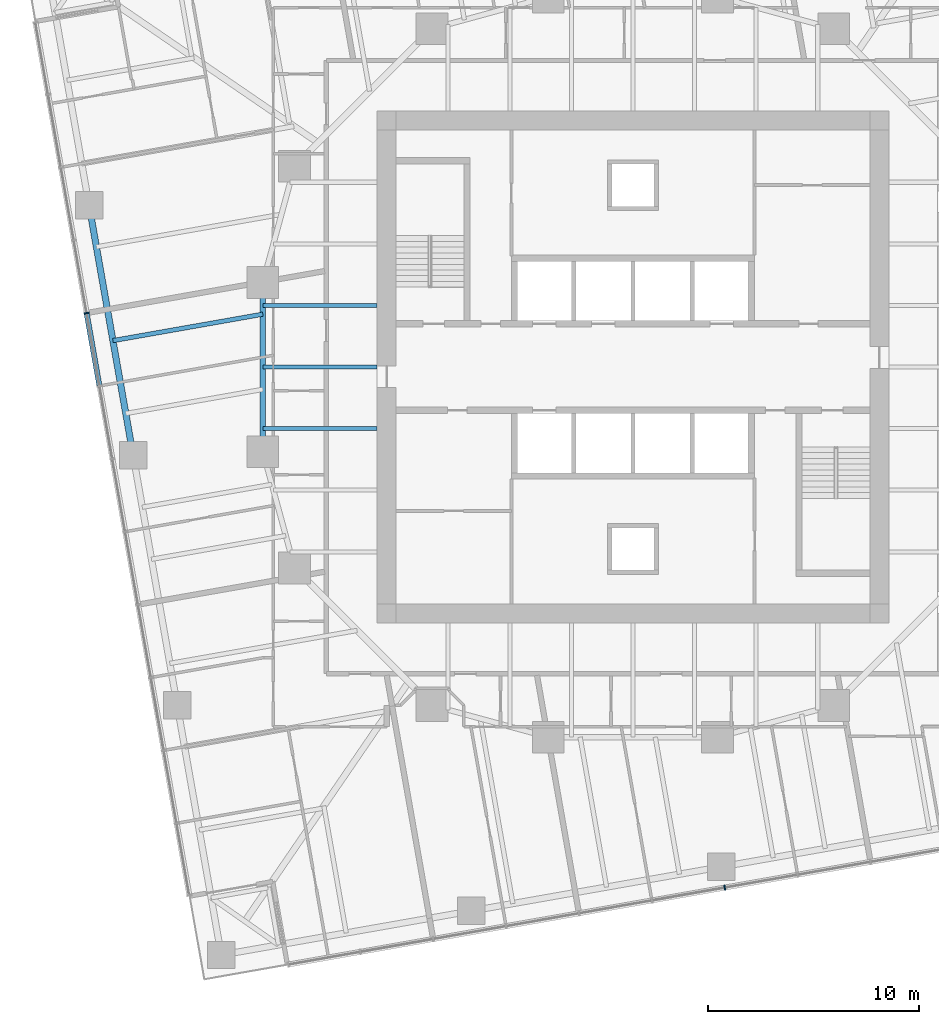
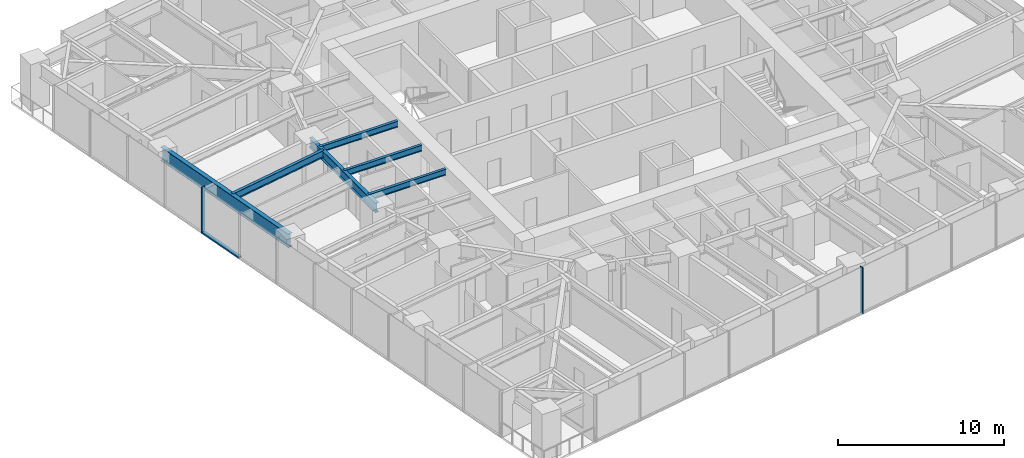
# One storey, part 3 of 14: 6 beams, 3 members, 2 elements without a shape of their own.
"""IFC4 building model written with IfcOpenShell, lengths in metres."""

import ifcopenshell
import ifcopenshell.guid

model = None  # the IFC model being written
_history = None  # IfcOwnerHistory: only IFC2X3 demands one
_inside = {}  # id of a spatial element -> (the spatial element, [elements in it])
_under = {}  # id of a project, library or spatial element -> (it, [spatial elements below it])
_declared = {}  # id of a project -> (the project, [libraries it declares])
_typed = {}  # id of a type object -> (the type object, [elements of that type])
_made_of = {}  # id of a material, layer set ... -> (it, [elements and type objects made of it])


def new_model(schema):
    """Start an empty IFC model of exactly this schema.

    Asked for "IFC4X3", IfcOpenShell would pick the latest addendum, in which some entities
    have other attributes; the version numbers below select the first issue.
    IFC2X3 requires an IfcOwnerHistory on every rooted entity: one is made here for all.
    """
    global model, _history
    if schema == "IFC4X3":
        model = ifcopenshell.file(schema_version=(4, 3, 0, 0))
    else:
        model = ifcopenshell.file(schema=schema)
    _inside.clear()
    _under.clear()
    _declared.clear()
    _typed.clear()
    _made_of.clear()
    _history = None
    if model.schema == "IFC2X3":
        org = make("IfcOrganization", Name="unknown")
        user = make(
            "IfcPersonAndOrganization",
            ThePerson=make("IfcPerson", FamilyName="unknown"),
            TheOrganization=org,
        )
        app = make(
            "IfcApplication",
            ApplicationDeveloper=org,
            Version="unknown",
            ApplicationFullName="unknown",
            ApplicationIdentifier="unknown",
        )
        _history = make(
            "IfcOwnerHistory",
            OwningUser=user,
            OwningApplication=app,
            ChangeAction="ADDED",
            CreationDate=0,
        )
    return model


def make(cls, **values):
    """One entity of the class cls with the attributes given. An attribute that is None is left unset."""
    return model.create_entity(
        cls, **{name: value for name, value in values.items() if value is not None}
    )


def rooted(cls, **values):
    """An entity with a GlobalId (a new one), such as an element, a storey or a relation."""
    return make(cls, GlobalId=ifcopenshell.guid.new(), OwnerHistory=_history, **values)


def si_unit(unit_type, name, prefix=None):
    """IfcSIUnit, for example si_unit("LENGTHUNIT", "METRE", prefix="MILLI")."""
    return make("IfcSIUnit", UnitType=unit_type, Prefix=prefix, Name=name)


def assignment(units):
    """IfcUnitAssignment: the units of a project."""
    return None if units is None else make("IfcUnitAssignment", Units=units)


def point(xyz):
    """IfcCartesianPoint."""
    return None if xyz is None else make("IfcCartesianPoint", Coordinates=xyz)


def direction(xyz):
    """IfcDirection."""
    return None if xyz is None else make("IfcDirection", DirectionRatios=xyz)


def frame(location, z_axis=None, x_axis=None):
    """IfcAxis2Placement3D, a coordinate frame: its origin and axes. An axis left out is left unset."""
    return make(
        "IfcAxis2Placement3D",
        Location=point(location),
        Axis=direction(z_axis),
        RefDirection=direction(x_axis),
    )


def frame_2d(location, x_axis=None):
    """IfcAxis2Placement2D, a coordinate frame in the plane: its origin and x axis."""
    return make(
        "IfcAxis2Placement2D", Location=point(location), RefDirection=direction(x_axis)
    )


def origin():
    """The frame at (0, 0, 0) with its axes left unset."""
    return frame((0.0, 0.0, 0.0))


def origin_2d():
    """The frame at (0, 0) in the plane with its x axis left unset."""
    return frame_2d((0.0, 0.0))


def place(relative_to, where):
    """IfcLocalPlacement: puts the frame where relative to a parent placement (None: the world)."""
    return make(
        "IfcLocalPlacement", PlacementRelTo=relative_to, RelativePlacement=where
    )


def context(
    kind, dimensions, precision=None, world=None, true_north=None, identifier=None
):
    """IfcGeometricRepresentationContext, for example the 3D "Model" context."""
    return make(
        "IfcGeometricRepresentationContext",
        ContextIdentifier=identifier,
        ContextType=kind,
        CoordinateSpaceDimension=dimensions,
        Precision=precision,
        WorldCoordinateSystem=world,
        TrueNorth=true_north,
    )


def subcontext(parent, identifier, kind, view, scale=None):
    """IfcGeometricRepresentationSubContext, for example "Body" below "Model"."""
    return make(
        "IfcGeometricRepresentationSubContext",
        ContextIdentifier=identifier,
        ContextType=kind,
        ParentContext=parent,
        TargetScale=scale,
        TargetView=view,
    )


def project(units=None, contexts=None):
    """IfcProject with its units and contexts."""
    return rooted(
        "IfcProject",
        Name="project",
        RepresentationContexts=contexts,
        UnitsInContext=assignment(units),
    )


def spatial(cls, under=None, at=None, **own):
    """A site, building, storey or space (cls), placed at a placement, below another one or the project."""
    s = rooted(cls, ObjectPlacement=at, **own)
    if under is not None:
        _under.setdefault(under.id(), (under, []))[1].append(s)
    return s


def profile(cls, at=None, kind="AREA", **sizes):
    """A parametric profile (cls). Its sizes go by their IFC names, for example OverallWidth=200.0."""
    return make(cls, ProfileType=kind, Position=at, **sizes)


def rectangle(**sizes):
    """IfcRectangleProfileDef."""
    return profile("IfcRectangleProfileDef", **sizes)


def i_section(**sizes):
    """IfcIShapeProfileDef."""
    return profile("IfcIShapeProfileDef", **sizes)


def extrude(swept, where, along, depth):
    """IfcExtrudedAreaSolid: the profile swept, set in the frame where, extruded along a direction by depth."""
    return make(
        "IfcExtrudedAreaSolid",
        SweptArea=swept,
        Position=where,
        ExtrudedDirection=direction(along),
        Depth=depth,
    )


def shape(context_of_items, identifier, shape_type, items):
    """IfcShapeRepresentation: the items that make up one representation, for example the "Body"."""
    return make(
        "IfcShapeRepresentation",
        ContextOfItems=context_of_items,
        RepresentationIdentifier=identifier,
        RepresentationType=shape_type,
        Items=items,
    )


def material(Name=None, Category=None):
    """IfcMaterial."""
    return make("IfcMaterial", Name=Name, Category=Category)


def material_profile(
    of_material, cross_section, Name=None, Category=None, Priority=None
):
    """IfcMaterialProfile: a cross section and its material."""
    return make(
        "IfcMaterialProfile",
        Name=Name,
        Material=of_material,
        Profile=cross_section,
        Priority=Priority,
        Category=Category,
    )


def profile_set(profiles, Name=None, composite=None):
    """IfcMaterialProfileSet."""
    return make(
        "IfcMaterialProfileSet",
        Name=Name,
        MaterialProfiles=profiles,
        CompositeProfile=composite,
    )


def made_of(thing, what):
    """Note that an element or type object is made of a material, layer set ...; save() writes the relation."""
    if what is not None:
        _made_of.setdefault(what.id(), (what, []))[1].append(thing)
    return thing


def type_object(cls, material=None, **own):
    """A type object (cls), such as IfcWallType, which elements share."""
    return made_of(rooted(cls, **own), material)


def element(
    cls,
    number,
    at=None,
    inside=None,
    cuts=None,
    type_object=None,
    material=None,
    context=None,
    identifier="Body",
    shape_type=None,
    held_by="IfcProductDefinitionShape",
    body=None,
    shapes=None,
    **own,
):
    """One element of the class cls, such as IfcWall. Its Tag is "e" and its number.

    at: its placement. inside: the storey or other place that contains it. cuts: it is an
    opening in that element (IfcRelVoidsElement). A single representation is given by context,
    identifier, shape_type and body (its items); several are given by shapes. held_by: the class
    of the entity that holds the representations. save() writes the other relations.
    """
    e = rooted(cls, Tag="e%d" % number, ObjectPlacement=at, **own)
    if body is not None:
        shapes = [shape(context, identifier, shape_type, body)]
    if shapes is not None:
        e.Representation = make(held_by, Representations=shapes)
    if inside is not None:
        _inside.setdefault(inside.id(), (inside, []))[1].append(e)
    if cuts is not None:
        rooted(
            "IfcRelVoidsElement", RelatingBuildingElement=cuts, RelatedOpeningElement=e
        )
    if type_object is not None:
        _typed.setdefault(type_object.id(), (type_object, []))[1].append(e)
    return made_of(e, material)


def aggregate(whole, parts):
    """IfcRelAggregates: a whole, such as a stair, and the parts it consists of."""
    return rooted("IfcRelAggregates", RelatingObject=whole, RelatedObjects=parts)


def save(model, path):
    """Write the relations noted so far, then the file.

    IfcRelAggregates (storeys below a building ...), IfcRelContainedInSpatialStructure (elements
    in a storey), IfcRelDefinesByType, IfcRelAssociatesMaterial and IfcRelDeclares: one each for
    every whole, place, type object, material and project.
    """
    for whole, parts in _under.values():
        aggregate(whole, parts)
    for where, things in _inside.values():
        rooted(
            "IfcRelContainedInSpatialStructure",
            RelatedElements=things,
            RelatingStructure=where,
        )
    for kind, things in _typed.values():
        rooted("IfcRelDefinesByType", RelatedObjects=things, RelatingType=kind)
    for what, things in _made_of.values():
        rooted("IfcRelAssociatesMaterial", RelatedObjects=things, RelatingMaterial=what)
    for by, libraries in _declared.values():
        rooted("IfcRelDeclares", RelatingContext=by, RelatedDefinitions=libraries)
    model.write(path)


model = new_model("IFC4")

# Units and contexts
model_context = context("Model", 3, precision=1e-05, world=origin(), true_north=direction((0.0, 1.0)))
body_context = subcontext(model_context, "Body", "Model", "MODEL_VIEW")
ifc_project = project(units=[si_unit("LENGTHUNIT", "METRE"), si_unit("AREAUNIT", "SQUARE_METRE"), si_unit("VOLUMEUNIT", "CUBIC_METRE"), si_unit("PLANEANGLEUNIT", "RADIAN"), si_unit("MASSUNIT", "GRAM", prefix="KILO")], contexts=[model_context])

# Site, building, storey
site_placement = place(None, origin())
site = spatial("IfcSite", under=ifc_project, at=site_placement, CompositionType="ELEMENT")
building_placement = place(site_placement, origin())
building = spatial("IfcBuilding", under=site, at=building_placement, Name="Torsade Residences", CompositionType="ELEMENT")
storey_placement = place(building_placement, frame((0.0, 0.0, 79.39990234375)))
storey = spatial("IfcBuildingStorey", under=building, at=storey_placement, Name="L21", CompositionType="ELEMENT", Elevation=79.39990234375)

# Curtain wall, member
ifc_material_1 = material(Name="Aluminium and glass", Category="aluminium")
curtain_wall_type = type_object("IfcCurtainWallType", Name="FRITTED GLASS CURTAIN WALL LOW ZONE", PredefinedType="NOTDEFINED", material=ifc_material_1)
curtain_wall_1_placement = place(storey_placement, origin())
curtain_wall_1 = element("IfcCurtainWall", 1, at=curtain_wall_1_placement, inside=storey, type_object=curtain_wall_type, Name="Curtain wall L21 face 1", PredefinedType="NOTDEFINED")
ifc_material_2 = material(Name="Aluminium mullion", Category="aluminium")
ifc_material_profile_1 = material_profile(ifc_material_2, rectangle(XDim=0.25, YDim=0.06494140625, at=origin_2d()), Name="CURTAIN WALL MULLION 250x65")
ifc_profile_set_1 = profile_set([ifc_material_profile_1], Name="Aluminium mullion")
member_type_1 = type_object("IfcMemberType", Name="CURTAIN WALL MULLION 250x65", PredefinedType="MULLION", material=ifc_profile_set_1)
member_1_placement = place(storey_placement, frame((44.34130859375, 5.3798828125, 0.0), z_axis=(0.0, 0.0, 1.0), x_axis=(-0.173648192638, 0.984807750372, 0.0)))
member_1 = element("IfcMember", 2, at=member_1_placement, type_object=member_type_1, Name="Mullion 7", PredefinedType="MULLION", context=body_context, shape_type="SweptSolid", body=[
    extrude(rectangle(XDim=0.25, YDim=0.06494140625, at=origin_2d()), origin(), (0.0, 0.0, 1.0), 3.400146484375),
])
aggregate(curtain_wall_1, [member_1])

# Curtain wall, members
curtain_wall_2_placement = place(storey_placement, origin())
curtain_wall_2 = element("IfcCurtainWall", 3, at=curtain_wall_2_placement, inside=storey, type_object=curtain_wall_type, Name="Curtain wall L21 face 10", PredefinedType="NOTDEFINED")
member_2_placement = place(storey_placement, frame((14.164306640625, 32.552490234375, 0.0), z_axis=(0.0, 0.0, 1.0), x_axis=(0.984807750372, 0.173648192638, 0.0)))
member_2 = element("IfcMember", 4, at=member_2_placement, type_object=member_type_1, Name="Mullion 5", PredefinedType="MULLION", context=body_context, shape_type="SweptSolid", body=[
    extrude(rectangle(XDim=0.25, YDim=0.06494140625, at=origin_2d()), origin(), (0.0, 0.0, 1.0), 3.400146484375),
])
ifc_material_3 = material(Name="Aluminium transom", Category="aluminium")
ifc_material_profile_2 = material_profile(ifc_material_3, rectangle(XDim=0.25, YDim=0.10009765625, at=origin_2d()), Name="CURTAIN WALL TRANSOM 250x100")
ifc_profile_set_2 = profile_set([ifc_material_profile_2], Name="Aluminium transom")
member_type_2 = type_object("IfcMemberType", Name="CURTAIN WALL TRANSOM 250x100", PredefinedType="USERDEFINED", material=ifc_profile_set_2)
member_3_placement = place(storey_placement, frame((14.169921875, 32.5205078125, 0.050048828125), z_axis=(0.17363531196, -0.984810021497, 0.0), x_axis=(0.984810021497, 0.17363531196, 0.0)))
member_3 = element("IfcMember", 5, at=member_3_placement, type_object=member_type_2, Name="Transom 5.1", ObjectType="TRANSOM", PredefinedType="USERDEFINED", context=body_context, shape_type="SweptSolid", body=[
    extrude(rectangle(XDim=0.25, YDim=0.10009765625, at=origin_2d()), origin(), (0.0, 0.0, 1.0), 3.43505859375),
])
aggregate(curtain_wall_2, [member_2, member_3])

# Beams
ifc_material_4 = material(Name="Steel grade 300", Category="steel")
ifc_material_profile_3 = material_profile(ifc_material_4, i_section(OverallWidth=0.300048828125, OverallDepth=1.0, WebThickness=0.01611328125, FlangeThickness=0.028076171875, at=origin_2d()), Name="1000WB215")
ifc_profile_set_3 = profile_set([ifc_material_profile_3], Name="Steel grade 300")
beam_type_1 = type_object("IfcBeamType", Name="EDGE BEAM 1000WB215", PredefinedType="SPANDREL", material=ifc_profile_set_3)
beam_1_placement = place(storey_placement, frame((14.28076171875, 37.650146484375, 2.75), z_axis=(0.173646056486, -0.984808127031, 0.0), x_axis=(0.984808127031, 0.173646056486, 0.0)))
element("IfcBeam", 6, at=beam_1_placement, inside=storey, type_object=beam_type_1, Name="Edge beam 14 L22", PredefinedType="SPANDREL", context=body_context, shape_type="SweptSolid", body=[
    extrude(i_section(OverallWidth=0.300048828125, OverallDepth=1.0, WebThickness=0.01611328125, FlangeThickness=0.028076171875, at=origin_2d()), origin(), (0.0, 0.0, 1.0), 12.0),
])
ifc_material_5 = material(Name="Steel grade 300", Category="steel")
ifc_material_profile_4 = material_profile(ifc_material_5, i_section(OverallWidth=0.18994140625, OverallDepth=0.4541015625, WebThickness=0.008544921875, FlangeThickness=0.0126953125, FilletRadius=0.011474609375, at=origin_2d()), Name="460UB67.1")
ifc_profile_set_4 = profile_set([ifc_material_profile_4], Name="Steel grade 300")
beam_type_2 = type_object("IfcBeamType", Name="INNER FLOOR BEAM 460UB67.1", PredefinedType="JOIST", material=ifc_profile_set_4)
for number, where, z_axis, x_axis, name in (
    (7, (27.89990234375, 32.91259765625, 3.023193359375), (-1.0, 0.0, 0.0), (0.0, -1.0, 0.0), "Inner floor beam IW03 L22"),
    (8, (27.89990234375, 30.0, 3.023193359375), (-1.0, 0.0, 0.0), (0.0, -1.0, 0.0), "Inner floor beam IW04 L22"),
    (9, (27.89990234375, 27.08740234375, 3.023193359375), (-1.0, 0.0, 0.0), (0.0, -1.0, 0.0), "Inner floor beam IW05 L22"),
):
    element("IfcBeam", number, at=place(storey_placement, frame(where, z_axis=z_axis, x_axis=x_axis)), inside=storey, type_object=beam_type_2, Name=name, PredefinedType="JOIST", context=body_context, shape_type="SweptSolid", body=[
        extrude(i_section(OverallWidth=0.18994140625, OverallDepth=0.4541015625, WebThickness=0.008544921875, FlangeThickness=0.0126953125, FilletRadius=0.011474609375, at=origin_2d()), origin(), (0.0, 0.0, 1.0), 5.39990234375),
    ])
ifc_material_6 = material(Name="Steel grade 300", Category="steel")
ifc_material_profile_5 = material_profile(ifc_material_6, i_section(OverallWidth=0.25, OverallDepth=0.699951171875, WebThickness=0.010009765625, FlangeThickness=0.02001953125, at=origin_2d()), Name="700WB130")
ifc_profile_set_5 = profile_set([ifc_material_profile_5], Name="Steel grade 300")
beam_type_3 = type_object("IfcBeamType", Name="RING GIRDER 700WB130", PredefinedType="BEAM", material=ifc_profile_set_5)
beam_2_placement = place(storey_placement, frame((22.5, 34.0, 2.900146484375), z_axis=(0.0, -1.0, 0.0), x_axis=(1.0, 0.0, 0.0)))
element("IfcBeam", 10, at=beam_2_placement, inside=storey, type_object=beam_type_3, Name="Ring girder IR09 L22", PredefinedType="BEAM", context=body_context, shape_type="SweptSolid", body=[
    extrude(i_section(OverallWidth=0.25, OverallDepth=0.699951171875, WebThickness=0.010009765625, FlangeThickness=0.02001953125, at=origin_2d()), origin(), (0.0, 0.0, 1.0), 8.0),
])
ifc_material_7 = material(Name="Steel grade 300", Category="steel")
ifc_material_profile_6 = material_profile(ifc_material_7, i_section(OverallWidth=0.208984375, OverallDepth=0.528076171875, WebThickness=0.009521484375, FlangeThickness=0.01318359375, FilletRadius=0.013916015625, at=origin_2d()), Name="530UB82.0")
ifc_profile_set_6 = profile_set([ifc_material_profile_6], Name="Steel grade 300")
beam_type_4 = type_object("IfcBeamType", Name="SECONDARY BEAM 530UB82.0", PredefinedType="JOIST", material=ifc_profile_set_6)
beam_3_placement = place(storey_placement, frame((15.40966796875, 31.248779296875, 2.986083984375), z_axis=(0.984807104535, 0.173651855324, 0.0), x_axis=(-0.173651855324, 0.984807104535, 0.0)))
element("IfcBeam", 11, at=beam_3_placement, inside=storey, type_object=beam_type_4, Name="Floor beam FW05 L22", PredefinedType="JOIST", context=body_context, shape_type="SweptSolid", body=[
    extrude(i_section(OverallWidth=0.208984375, OverallDepth=0.528076171875, WebThickness=0.009521484375, FlangeThickness=0.01318359375, FilletRadius=0.013916015625, at=origin_2d()), origin(), (0.0, 0.0, 1.0), 7.19970703125),
])

save(model, "model.ifc")
